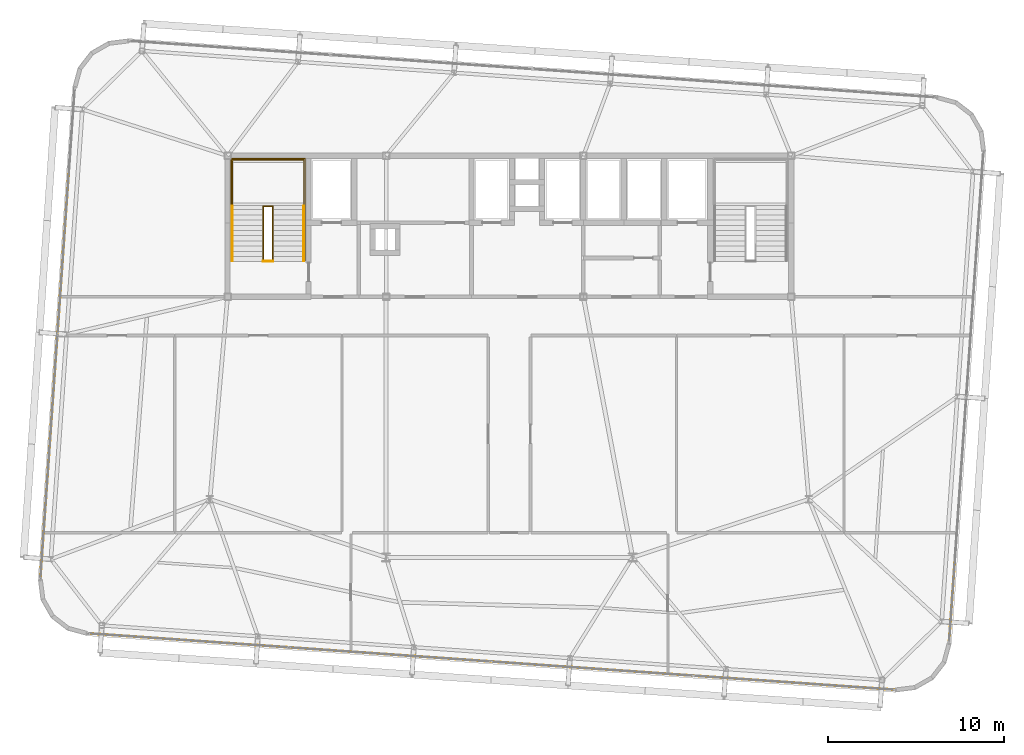
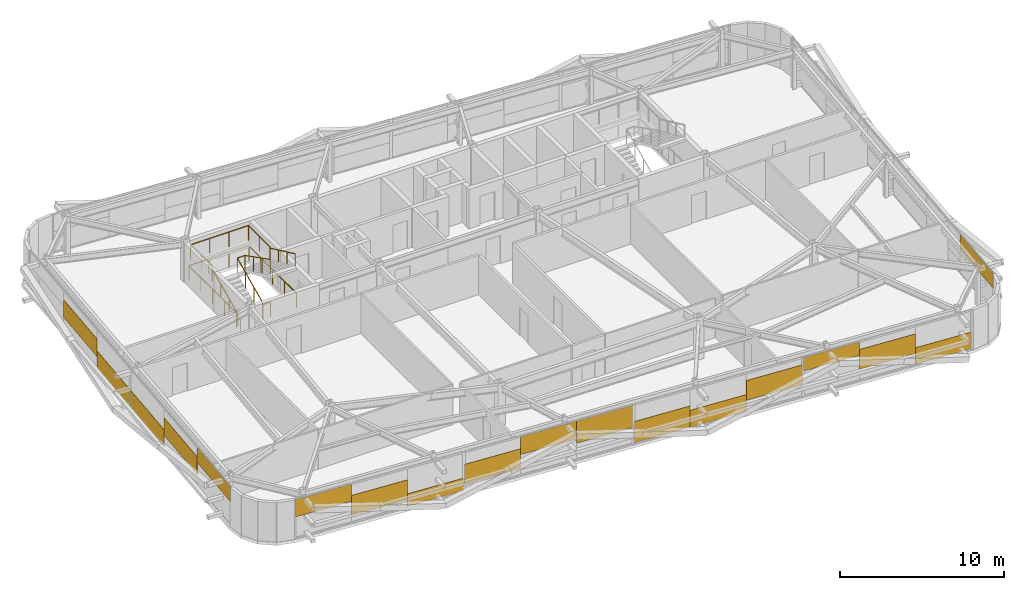
# One storey, part 38 of 39: 18 coverings, 6 railings.
"""IFC4 building model written with IfcOpenShell, lengths in metres."""

from ifc_helpers import new_model, si_unit, direction, frame, origin, origin_2d, place, context, subcontext, project, spatial, rectangle, extrude, source, transform, mapped, material, layer, layer_set, type_object, element, save


model = new_model("IFC4")

# Units and contexts
model_context = context("Model", 3, precision=1e-05, world=origin(), true_north=direction((0.0, 1.0)))
body_context = subcontext(model_context, "Body", "Model", "MODEL_VIEW")
ifc_project = project(units=[si_unit("LENGTHUNIT", "METRE"), si_unit("AREAUNIT", "SQUARE_METRE"), si_unit("VOLUMEUNIT", "CUBIC_METRE"), si_unit("PLANEANGLEUNIT", "RADIAN"), si_unit("MASSUNIT", "GRAM", prefix="KILO")], contexts=[model_context])

# Site, building, storey
site_placement = place(None, origin())
site = spatial("IfcSite", under=ifc_project, at=site_placement, CompositionType="ELEMENT")
building_placement = place(site_placement, origin())
building = spatial("IfcBuilding", under=site, at=building_placement, Name="Taldren Reach Tower", CompositionType="ELEMENT")
storey_placement = place(building_placement, frame((0.0, 0.0, 129.85009765625)))
storey = spatial("IfcBuildingStorey", under=building, at=storey_placement, Name="L39", CompositionType="ELEMENT", Elevation=129.85009765625)

# Railings
ifc_material_1 = material(Name="Steel Gr 350 (C350L0)", Category="steel")
ifc_layer_1 = layer(ifc_material_1, 0.050048828125)
ifc_layer_set_1 = layer_set([ifc_layer_1], Name="Steel Gr 350 (C350L0)")
railing_type_1 = type_object("IfcRailingType", Name="RL-STAIR-GR", PredefinedType="GUARDRAIL", material=ifc_layer_set_1)
railing_1_placement = place(storey_placement, frame((19.260009765625, 29.135009765625, 1.574951171875)))
element("IfcRailing", 1, at=railing_1_placement, inside=storey, type_object=railing_type_1, Name="Stair half-landing perimeter guard ST1-L39", PredefinedType="GUARDRAIL", context=body_context, shape_type="SweptSolid", body=[
    extrude(rectangle(XDim=0.047852, YDim=0.047852, at=origin_2d()), frame((0.0, 0.0, 1.09619140625), z_axis=(0.0, 1.0, 0.0), x_axis=(-1.0, 0.0, 0.0)), (0.0, 0.0, 1.0), 2.64501953125),
    extrude(rectangle(XDim=0.047852, YDim=0.047852, at=origin_2d()), frame((0.0, 2.64501953125, 1.09619140625), z_axis=(1.0, 0.0, 0.0), x_axis=(0.0, 1.0, 0.0)), (0.0, 0.0, 1.0), 4.080078125),
    extrude(rectangle(XDim=0.047852, YDim=0.047852, at=origin_2d()), frame((4.080078125, 2.64501953125, 1.09619140625), z_axis=(0.0, -1.0, 0.0), x_axis=(1.0, 0.0, 0.0)), (0.0, 0.0, 1.0), 2.64501953125),
    extrude(rectangle(XDim=0.041992, YDim=0.041992, at=origin_2d()), origin(), (0.0, 0.0, 1.0), 1.072021484375),
    extrude(rectangle(XDim=0.041992, YDim=0.041992, at=origin_2d()), frame((0.0, 1.322509765625, 0.0)), (0.0, 0.0, 1.0), 1.072021484375),
    extrude(rectangle(XDim=0.041992, YDim=0.041992, at=origin_2d()), frame((0.0, 2.64501953125, 0.0)), (0.0, 0.0, 1.0), 1.072021484375),
    extrude(rectangle(XDim=0.041992, YDim=0.041992, at=origin_2d()), frame((1.360107421875, 2.64501953125, 0.0)), (0.0, 0.0, 1.0), 1.072021484375),
    extrude(rectangle(XDim=0.041992, YDim=0.041992, at=origin_2d()), frame((2.719970703125, 2.64501953125, 0.0)), (0.0, 0.0, 1.0), 1.072021484375),
    extrude(rectangle(XDim=0.041992, YDim=0.041992, at=origin_2d()), frame((4.080078125, 2.64501953125, 0.0)), (0.0, 0.0, 1.0), 1.072021484375),
    extrude(rectangle(XDim=0.041992, YDim=0.041992, at=origin_2d()), frame((4.080078125, 1.322509765625, 0.0)), (0.0, 0.0, 1.0), 1.072021484375),
    extrude(rectangle(XDim=0.041992, YDim=0.041992, at=origin_2d()), frame((4.080078125, 0.0, 0.0)), (0.0, 0.0, 1.0), 1.072021484375),
])
railing_2_placement = place(storey_placement, frame((21.030029296875, 26.050048828125, 0.131103515625)))
element("IfcRailing", 2, at=railing_2_placement, inside=storey, type_object=railing_type_1, Name="Stairwell inner guard ST1-L39", PredefinedType="GUARDRAIL", context=body_context, shape_type="SweptSolid", body=[
    extrude(rectangle(XDim=0.047852, YDim=0.047852, at=origin_2d()), frame((0.0, 0.0, 1.09619140625), z_axis=(0.0, 0.905710134349, 0.423897573167), x_axis=(-1.0, 0.0, 0.0)), (0.0, 0.0, 1.0), 3.406005859375),
    extrude(rectangle(XDim=0.047852, YDim=0.047852, at=origin_2d()), frame((0.0, 3.0849609375, 2.5400390625), z_axis=(1.0, 0.0, 0.0), x_axis=(0.0, 1.0, 0.0)), (0.0, 0.0, 1.0), 0.5400390625),
    extrude(rectangle(XDim=0.047852, YDim=0.047852, at=origin_2d()), frame((0.5400390625, 3.0849609375, 2.5400390625), z_axis=(0.0, -0.890645957773, 0.45469745755), x_axis=(1.0, 0.0, 0.0)), (0.0, 0.0, 1.0), 3.463623046875),
    extrude(rectangle(XDim=0.041992, YDim=0.041992, at=origin_2d()), origin(), (0.0, 0.0, 1.0), 1.072021484375),
    extrude(rectangle(XDim=0.041992, YDim=0.041992, at=origin_2d()), frame((0.0, 1.0283203125, 0.481201171875)), (0.0, 0.0, 1.0), 1.072021484375),
    extrude(rectangle(XDim=0.041992, YDim=0.041992, at=origin_2d()), frame((0.0, 2.056640625, 0.962646484375)), (0.0, 0.0, 1.0), 1.072021484375),
    extrude(rectangle(XDim=0.041992, YDim=0.041992, at=origin_2d()), frame((0.0, 3.0849609375, 1.44384765625)), (0.0, 0.0, 1.0), 1.072021484375),
    extrude(rectangle(XDim=0.041992, YDim=0.041992, at=origin_2d()), frame((0.5400390625, 3.0849609375, 1.44384765625)), (0.0, 0.0, 1.0), 1.072021484375),
    extrude(rectangle(XDim=0.041992, YDim=0.041992, at=origin_2d()), frame((0.5400390625, 2.056640625, 1.96875)), (0.0, 0.0, 1.0), 1.072021484375),
    extrude(rectangle(XDim=0.041992, YDim=0.041992, at=origin_2d()), frame((0.5400390625, 1.0283203125, 2.493896484375)), (0.0, 0.0, 1.0), 1.072021484375),
    extrude(rectangle(XDim=0.041992, YDim=0.041992, at=origin_2d()), frame((0.5400390625, 0.0, 3.018798828125)), (0.0, 0.0, 1.0), 1.072021484375),
])
railing_3_placement = place(storey_placement, frame((21.030029296875, 26.010009765625, 0.0)))
element("IfcRailing", 3, at=railing_3_placement, inside=storey, type_object=railing_type_1, Name="Stairwell landing slot guard ST1-L39", PredefinedType="GUARDRAIL", context=body_context, shape_type="SweptSolid", body=[
    extrude(rectangle(XDim=0.047852, YDim=0.047852, at=origin_2d()), frame((0.0, 0.0, 1.09619140625), z_axis=(1.0, 0.0, 0.0), x_axis=(0.0, 1.0, 0.0)), (0.0, 0.0, 1.0), 0.5400390625),
    extrude(rectangle(XDim=0.041992, YDim=0.041992, at=origin_2d()), origin(), (0.0, 0.0, 1.0), 1.072021484375),
    extrude(rectangle(XDim=0.041992, YDim=0.041992, at=origin_2d()), frame((0.5400390625, 0.0, 0.0)), (0.0, 0.0, 1.0), 1.072021484375),
])
railing_4_placement = place(storey_placement, frame((19.18994140625, 26.050048828125, 0.0)))
element("IfcRailing", 4, at=railing_4_placement, inside=storey, type_object=railing_type_1, Name="Stairwell floor opening guard ST1-L39", PredefinedType="GUARDRAIL", context=body_context, shape_type="SweptSolid", body=[
    extrude(rectangle(XDim=0.047852, YDim=0.047852, at=origin_2d()), frame((0.0, 0.0, 1.09619140625), z_axis=(0.0, 1.0, 0.0), x_axis=(-1.0, 0.0, 0.0)), (0.0, 0.0, 1.0), 5.800048828125),
    extrude(rectangle(XDim=0.047852, YDim=0.047852, at=origin_2d()), frame((0.0, 5.800048828125, 1.09619140625), z_axis=(1.0, 0.0, 0.0), x_axis=(0.0, 1.0, 0.0)), (0.0, 0.0, 1.0), 4.219970703125),
    extrude(rectangle(XDim=0.047852, YDim=0.047852, at=origin_2d()), frame((4.219970703125, 5.800048828125, 1.09619140625), z_axis=(0.0, -1.0, 0.0), x_axis=(1.0, 0.0, 0.0)), (0.0, 0.0, 1.0), 5.800048828125),
    extrude(rectangle(XDim=0.041992, YDim=0.041992, at=origin_2d()), origin(), (0.0, 0.0, 1.0), 1.072021484375),
    extrude(rectangle(XDim=0.041992, YDim=0.041992, at=origin_2d()), frame((0.0, 1.449951171875, 0.0)), (0.0, 0.0, 1.0), 1.072021484375),
    extrude(rectangle(XDim=0.041992, YDim=0.041992, at=origin_2d()), frame((0.0, 2.89990234375, 0.0)), (0.0, 0.0, 1.0), 1.072021484375),
    extrude(rectangle(XDim=0.041992, YDim=0.041992, at=origin_2d()), frame((0.0, 4.35009765625, 0.0)), (0.0, 0.0, 1.0), 1.072021484375),
    extrude(rectangle(XDim=0.041992, YDim=0.041992, at=origin_2d()), frame((0.0, 5.800048828125, 0.0)), (0.0, 0.0, 1.0), 1.072021484375),
    extrude(rectangle(XDim=0.041992, YDim=0.041992, at=origin_2d()), frame((1.40673828125, 5.800048828125, 0.0)), (0.0, 0.0, 1.0), 1.072021484375),
    extrude(rectangle(XDim=0.041992, YDim=0.041992, at=origin_2d()), frame((2.813232421875, 5.800048828125, 0.0)), (0.0, 0.0, 1.0), 1.072021484375),
    extrude(rectangle(XDim=0.041992, YDim=0.041992, at=origin_2d()), frame((4.219970703125, 5.800048828125, 0.0)), (0.0, 0.0, 1.0), 1.072021484375),
    extrude(rectangle(XDim=0.041992, YDim=0.041992, at=origin_2d()), frame((4.219970703125, 4.35009765625, 0.0)), (0.0, 0.0, 1.0), 1.072021484375),
    extrude(rectangle(XDim=0.041992, YDim=0.041992, at=origin_2d()), frame((4.219970703125, 2.89990234375, 0.0)), (0.0, 0.0, 1.0), 1.072021484375),
    extrude(rectangle(XDim=0.041992, YDim=0.041992, at=origin_2d()), frame((4.219970703125, 1.449951171875, 0.0)), (0.0, 0.0, 1.0), 1.072021484375),
    extrude(rectangle(XDim=0.041992, YDim=0.041992, at=origin_2d()), frame((4.219970703125, 0.0, 0.0)), (0.0, 0.0, 1.0), 1.072021484375),
])
ifc_material_2 = material(Name="Stainless Steel Gr 316", Category="steel")
ifc_layer_2 = layer(ifc_material_2, 0.048095703125)
ifc_layer_set_2 = layer_set([ifc_layer_2], Name="Stainless Steel Gr 316")
railing_type_2 = type_object("IfcRailingType", Name="RL-STAIR-HR", PredefinedType="HANDRAIL", material=ifc_layer_set_2)
railing_5_placement = place(storey_placement, frame((19.27001953125, 26.050048828125, 0.131103515625)))
element("IfcRailing", 5, at=railing_5_placement, inside=storey, type_object=railing_type_2, Name="Stair flight handrail ST1-L39-1", PredefinedType="HANDRAIL", context=body_context, shape_type="SweptSolid", body=[
    extrude(rectangle(XDim=0.047852, YDim=0.047852, at=origin_2d()), frame((0.0, 0.0, 0.89599609375), z_axis=(0.0, 0.905710134349, 0.423897573167), x_axis=(-1.0, 0.0, 0.0)), (0.0, 0.0, 1.0), 3.406005859375),
    extrude(rectangle(XDim=0.041992, YDim=0.041992, at=origin_2d()), origin(), (0.0, 0.0, 1.0), 0.871826171875),
    extrude(rectangle(XDim=0.041992, YDim=0.041992, at=origin_2d()), frame((0.0, 1.0283203125, 0.481201171875)), (0.0, 0.0, 1.0), 0.871826171875),
    extrude(rectangle(XDim=0.041992, YDim=0.041992, at=origin_2d()), frame((0.0, 2.056640625, 0.962646484375)), (0.0, 0.0, 1.0), 0.871826171875),
    extrude(rectangle(XDim=0.041992, YDim=0.041992, at=origin_2d()), frame((0.0, 3.0849609375, 1.44384765625)), (0.0, 0.0, 1.0), 0.871826171875),
])
railing_6_placement = place(storey_placement, frame((23.330078125, 29.135009765625, 1.706298828125)))
element("IfcRailing", 6, at=railing_6_placement, inside=storey, type_object=railing_type_2, Name="Stair flight handrail ST1-L39-2", PredefinedType="HANDRAIL", context=body_context, shape_type="SweptSolid", body=[
    extrude(rectangle(XDim=0.047852, YDim=0.047852, at=origin_2d()), frame((0.0, 0.0, 0.89599609375), z_axis=(0.0, -0.905737652094, 0.423838773095), x_axis=(1.0, 0.0, 0.0)), (0.0, 0.0, 1.0), 3.406005859375),
    extrude(rectangle(XDim=0.041992, YDim=0.041992, at=origin_2d()), origin(), (0.0, 0.0, 1.0), 0.871826171875),
    extrude(rectangle(XDim=0.041992, YDim=0.041992, at=origin_2d()), frame((0.0, -1.0283203125, 0.481201171875)), (0.0, 0.0, 1.0), 0.871826171875),
    extrude(rectangle(XDim=0.041992, YDim=0.041992, at=origin_2d()), frame((0.0, -2.056640625, 0.96240234375)), (0.0, 0.0, 1.0), 0.871826171875),
    extrude(rectangle(XDim=0.041992, YDim=0.041992, at=origin_2d()), frame((0.0, -3.0849609375, 1.443603515625)), (0.0, 0.0, 1.0), 0.871826171875),
])

# Coverings
ifc_material_3 = material(Name="Pale Champagne Fluoropolymer Aluminium Spandrel Cladding", Category="aluminium")
ifc_layer_3 = layer(ifc_material_3, 0.0439453125)
ifc_layer_set_3 = layer_set([ifc_layer_3], Name="Pale Champagne Fluoropolymer Aluminium Spandrel Cladding")
covering_type = type_object("IfcCoveringType", Name="CV-CLAD-044", PredefinedType="CLADDING", material=ifc_layer_set_3)
shared_shape_1 = source(origin(), body_context, "Body", "SweptSolid", [
    extrude(rectangle(XDim=3.79833984375, YDim=0.0439453125, at=origin_2d()), origin(), (0.0, 0.0, 1.0), 1.22216796875),
])
covering_1_placement = place(storey_placement, frame((54.95361328125, 1.81396484375, 0.054931640625), z_axis=(0.0, 0.0, 1.0), x_axis=(0.99756404731, -0.06975651593, 0.0)))
element("IfcCovering", 7, at=covering_1_placement, inside=storey, type_object=covering_type, Name="Diagrid closure cladding strip CW-4 panel 4.1 3", PredefinedType="CLADDING", context=body_context, shape_type="MappedRepresentation", body=[
    mapped(shared_shape_1, transform((0.0, 0.0, 0.0), scale=1.0)),
])
shared_shape_2 = source(origin(), body_context, "Body", "SweptSolid", [
    extrude(rectangle(XDim=3.79833984375, YDim=0.0439453125, at=origin_2d()), origin(), (0.0, 0.0, 1.0), 1.474365234375),
])
for number, where, z_axis, x_axis, name in (
    (8, (16.783447265625, 4.483154296875, 0.55322265625), (0.0, 0.0, 1.0), (0.99756404731, -0.06975651593, 0.0), "Diagrid closure cladding strip CW-4 panel 1.1 2"),
    (9, (51.16455078125, 2.0791015625, 0.84228515625), (0.0, 0.0, 1.0), (0.99756404731, -0.06975651593, 0.0), "Diagrid closure cladding strip CW-4 panel 4.1 2"),
):
    element("IfcCovering", number, at=place(storey_placement, frame(where, z_axis=z_axis, x_axis=x_axis)), inside=storey, type_object=covering_type, Name=name, PredefinedType="CLADDING", context=body_context, shape_type="MappedRepresentation", body=[
        mapped(shared_shape_2, transform((0.0, 0.0, 0.0), scale=1.0)),
    ])
shared_shape_3 = source(origin(), body_context, "Body", "SweptSolid", [
    extrude(rectangle(XDim=3.79833984375, YDim=0.0439453125, at=origin_2d()), origin(), (0.0, 0.0, 1.0), 0.993408203125),
])
covering_2_placement = place(storey_placement, frame((47.375244140625, 2.343994140625, 1.88134765625), z_axis=(0.0, 0.0, 1.0), x_axis=(0.99756404731, -0.06975651593, 0.0)))
element("IfcCovering", 10, at=covering_2_placement, inside=storey, type_object=covering_type, Name="Diagrid closure cladding strip CW-4 panel 4.1 1", PredefinedType="CLADDING", context=body_context, shape_type="MappedRepresentation", body=[
    mapped(shared_shape_3, transform((0.0, 0.0, 0.0), scale=1.0)),
])
shared_shape_4 = source(origin(), body_context, "Body", "SweptSolid", [
    extrude(rectangle(XDim=3.81005859375, YDim=0.0439453125, at=origin_2d()), origin(), (0.0, 0.0, 1.0), 1.477783203125),
])
for number, where, z_axis, x_axis, name in (
    (11, (24.437255859375, 3.947998046875, 0.509765625), (0.0, 0.0, 1.0), (0.99756404731, -0.06975651593, 0.0), "Diagrid closure cladding strip CW-4 panel 2.1 1"),
    (12, (43.510498046875, 2.6142578125, 0.88232421875), (0.0, 0.0, 1.0), (0.99756404731, -0.06975651593, 0.0), "Diagrid closure cladding strip CW-4 panel 3.1 3"),
):
    element("IfcCovering", number, at=place(storey_placement, frame(where, z_axis=z_axis, x_axis=x_axis)), inside=storey, type_object=covering_type, Name=name, PredefinedType="CLADDING", context=body_context, shape_type="MappedRepresentation", body=[
        mapped(shared_shape_4, transform((0.0, 0.0, 0.0), scale=1.0)),
    ])
shared_shape_5 = source(origin(), body_context, "Body", "SweptSolid", [
    extrude(rectangle(XDim=3.81005859375, YDim=0.0439453125, at=origin_2d()), origin(), (0.0, 0.0, 1.0), 1.26220703125),
])
covering_3_placement = place(storey_placement, frame((39.7099609375, 2.8798828125, 0.054931640625), z_axis=(0.0, 0.0, 1.0), x_axis=(0.99756404731, -0.06975651593, 0.0)))
element("IfcCovering", 13, at=covering_3_placement, inside=storey, type_object=covering_type, Name="Diagrid closure cladding strip CW-4 panel 3.1 2", PredefinedType="CLADDING", context=body_context, shape_type="MappedRepresentation", body=[
    mapped(shared_shape_5, transform((0.0, 0.0, 0.0), scale=1.0)),
])
shared_shape_6 = source(origin(), body_context, "Body", "SweptSolid", [
    extrude(rectangle(XDim=3.81005859375, YDim=0.0439453125, at=origin_2d()), origin(), (0.0, 0.0, 1.0), 1.587890625),
])
covering_4_placement = place(storey_placement, frame((35.9091796875, 3.145751953125, 0.054931640625), z_axis=(0.0, 0.0, 1.0), x_axis=(0.99756404731, -0.06975651593, 0.0)))
element("IfcCovering", 14, at=covering_4_placement, inside=storey, type_object=covering_type, Name="Diagrid closure cladding strip CW-4 panel 3.1 1", PredefinedType="CLADDING", context=body_context, shape_type="MappedRepresentation", body=[
    mapped(shared_shape_6, transform((0.0, 0.0, 0.0), scale=1.0)),
])
shared_shape_7 = source(origin(), body_context, "Body", "SweptSolid", [
    extrude(rectangle(XDim=3.81005859375, YDim=0.0439453125, at=origin_2d()), origin(), (0.0, 0.0, 1.0), 1.64794921875),
])
covering_5_placement = place(storey_placement, frame((32.03857421875, 3.41650390625, 1.22705078125), z_axis=(0.0, 0.0, 1.0), x_axis=(0.99756404731, -0.06975651593, 0.0)))
element("IfcCovering", 15, at=covering_5_placement, inside=storey, type_object=covering_type, Name="Diagrid closure cladding strip CW-4 panel 2.1 3", PredefinedType="CLADDING", context=body_context, shape_type="MappedRepresentation", body=[
    mapped(shared_shape_7, transform((0.0, 0.0, 0.0), scale=1.0)),
])
shared_shape_8 = source(origin(), body_context, "Body", "SweptSolid", [
    extrude(rectangle(XDim=3.81005859375, YDim=0.0439453125, at=origin_2d()), origin(), (0.0, 0.0, 1.0), 1.322265625),
])
covering_6_placement = place(storey_placement, frame((28.23779296875, 3.68212890625, 1.552490234375), z_axis=(0.0, 0.0, 1.0), x_axis=(0.99756404731, -0.06975651593, 0.0)))
element("IfcCovering", 16, at=covering_6_placement, inside=storey, type_object=covering_type, Name="Diagrid closure cladding strip CW-4 panel 2.1 2", PredefinedType="CLADDING", context=body_context, shape_type="MappedRepresentation", body=[
    mapped(shared_shape_8, transform((0.0, 0.0, 0.0), scale=1.0)),
])
shared_shape_9 = source(origin(), body_context, "Body", "SweptSolid", [
    extrude(rectangle(XDim=3.79833984375, YDim=0.0439453125, at=origin_2d()), origin(), (0.0, 0.0, 1.0), 0.93359375),
])
covering_7_placement = place(storey_placement, frame((20.572509765625, 4.21826171875, 0.054931640625), z_axis=(0.0, 0.0, 1.0), x_axis=(0.99756404731, -0.06975651593, 0.0)))
element("IfcCovering", 17, at=covering_7_placement, inside=storey, type_object=covering_type, Name="Diagrid closure cladding strip CW-4 panel 1.1 3", PredefinedType="CLADDING", context=body_context, shape_type="MappedRepresentation", body=[
    mapped(shared_shape_9, transform((0.0, 0.0, 0.0), scale=1.0)),
])
shared_shape_10 = source(origin(), body_context, "Body", "SweptSolid", [
    extrude(rectangle(XDim=3.79833984375, YDim=0.0439453125, at=origin_2d()), origin(), (0.0, 0.0, 1.0), 1.2822265625),
])
covering_8_placement = place(storey_placement, frame((12.994384765625, 4.748046875, 1.5927734375), z_axis=(0.0, 0.0, 1.0), x_axis=(0.99756404731, -0.06975651593, 0.0)))
element("IfcCovering", 18, at=covering_8_placement, inside=storey, type_object=covering_type, Name="Diagrid closure cladding strip CW-4 panel 1.1 1", PredefinedType="CLADDING", context=body_context, shape_type="MappedRepresentation", body=[
    mapped(shared_shape_10, transform((0.0, 0.0, 0.0), scale=1.0)),
])
shared_shape_11 = source(origin(), body_context, "Body", "SweptSolid", [
    extrude(rectangle(XDim=4.631591796875, YDim=0.0439453125, at=origin_2d()), origin(), (0.0, 0.0, 1.0), 1.306640625),
])
for number, where, z_axis, x_axis, name in (
    (19, (9.840087890625, 28.869384765625, 0.89208984375), (0.0, 0.0, 1.0), (-0.069756437251, -0.997564052812, 0.0), "Diagrid closure cladding strip CW-4 panel 1.1 2"),
    (20, (8.865966796875, 14.9384765625, 0.89208984375), (0.0, 0.0, 1.0), (-0.069756437251, -0.997564052812, 0.0), "Diagrid closure cladding strip CW-4 panel 2.1 2"),
):
    element("IfcCovering", number, at=place(storey_placement, frame(where, z_axis=z_axis, x_axis=x_axis)), inside=storey, type_object=covering_type, Name=name, PredefinedType="CLADDING", context=body_context, shape_type="MappedRepresentation", body=[
        mapped(shared_shape_11, transform((0.0, 0.0, 0.0), scale=1.0)),
    ])
shared_shape_12 = source(origin(), body_context, "Body", "SweptSolid", [
    extrude(rectangle(XDim=4.631591796875, YDim=0.0439453125, at=origin_2d()), origin(), (0.0, 0.0, 1.0), 1.103515625),
])
for number, where, z_axis, x_axis, name in (
    (21, (8.542724609375, 10.318115234375, 1.771484375), (0.0, 0.0, 1.0), (-0.069756437251, -0.997564052812, 0.0), "Diagrid closure cladding strip CW-4 panel 2.1 3"),
    (22, (60.136962890625, 6.710205078125, 1.771484375), (0.0, 0.0, 1.0), (0.069756437251, 0.997564052812, 0.0), "Diagrid closure cladding strip CW-4 panel 1.1 1"),
):
    element("IfcCovering", number, at=place(storey_placement, frame(where, z_axis=z_axis, x_axis=x_axis)), inside=storey, type_object=covering_type, Name=name, PredefinedType="CLADDING", context=body_context, shape_type="MappedRepresentation", body=[
        mapped(shared_shape_12, transform((0.0, 0.0, 0.0), scale=1.0)),
    ])
shared_shape_13 = source(origin(), body_context, "Body", "SweptSolid", [
    extrude(rectangle(XDim=4.631591796875, YDim=0.0439453125, at=origin_2d()), origin(), (0.0, 0.0, 1.0), 1.2646484375),
])
for number, where, z_axis, x_axis, name in (
    (23, (9.51708984375, 24.2490234375, 0.054931640625), (0.0, 0.0, 1.0), (-0.069756437251, -0.997564052812, 0.0), "Diagrid closure cladding strip CW-4 panel 1.1 3"),
    (24, (9.18896484375, 19.558837890625, 0.054931640625), (0.0, 0.0, 1.0), (-0.069756437251, -0.997564052812, 0.0), "Diagrid closure cladding strip CW-4 panel 2.1 1"),
):
    element("IfcCovering", number, at=place(storey_placement, frame(where, z_axis=z_axis, x_axis=x_axis)), inside=storey, type_object=covering_type, Name=name, PredefinedType="CLADDING", context=body_context, shape_type="MappedRepresentation", body=[
        mapped(shared_shape_13, transform((0.0, 0.0, 0.0), scale=1.0)),
    ])

save(model, "model.ifc")
